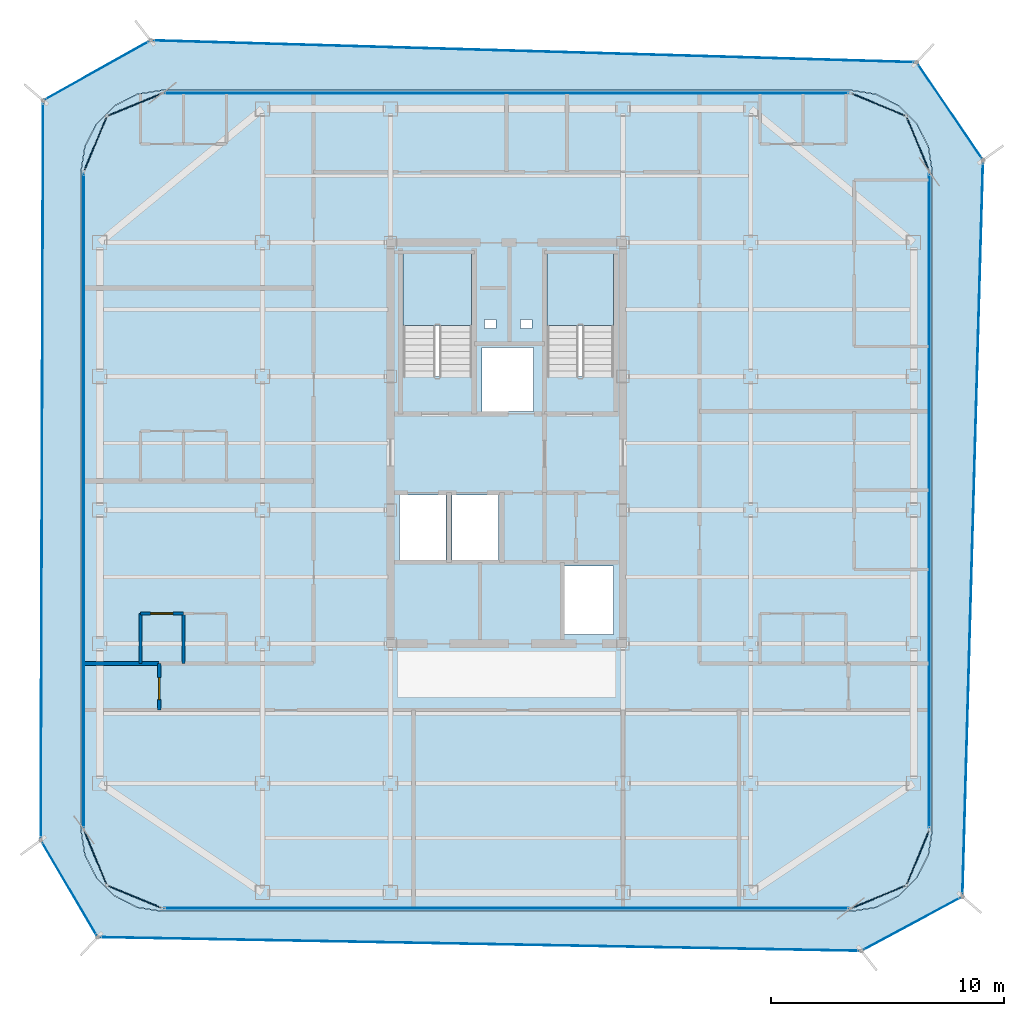
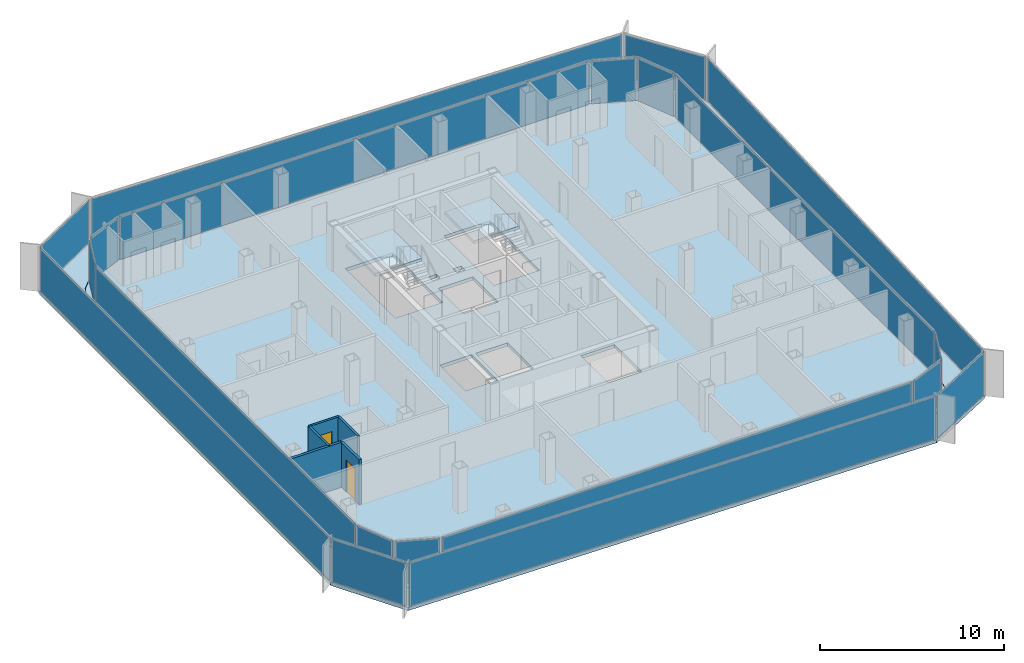
# One storey, part 9 of 14: 20 plates, 5 walls, 4 slabs, 2 doors, 2 openings, 22 elements without a shape of their own.
"""IFC4 building model written with IfcOpenShell, lengths in metres."""

from ifc_helpers import new_model, si_unit, direction, frame, frame_2d, origin, origin_2d, place, context, subcontext, project, spatial, polyline, rectangle, outline, extrude, source, transform, mapped, material, layer, layer_set, type_object, element, fill, aggregate, save


model = new_model("IFC4")

# Units and contexts
model_context = context("Model", 3, precision=1e-05, world=origin(), true_north=direction((0.0, 1.0)))
body_context = subcontext(model_context, "Body", "Model", "MODEL_VIEW")
ifc_project = project(units=[si_unit("LENGTHUNIT", "METRE"), si_unit("AREAUNIT", "SQUARE_METRE"), si_unit("VOLUMEUNIT", "CUBIC_METRE"), si_unit("PLANEANGLEUNIT", "RADIAN"), si_unit("MASSUNIT", "GRAM", prefix="KILO")], contexts=[model_context])

# Site, building, storey
site_placement = place(None, origin())
site = spatial("IfcSite", under=ifc_project, at=site_placement, CompositionType="ELEMENT")
building_placement = place(site_placement, origin())
building = spatial("IfcBuilding", under=site, at=building_placement, Name="Kolveth Station Tower", CompositionType="ELEMENT")
storey_placement = place(building_placement, frame((0.0, 0.0, 226.5)))
storey = spatial("IfcBuildingStorey", under=building, at=storey_placement, Name="L64", CompositionType="ELEMENT", Elevation=226.5)

# Slab
ifc_material_1 = material(Name="Concrete C40/50", Category="concrete")
ifc_layer_1 = layer(ifc_material_1, 0.219970703125)
ifc_layer_set_1 = layer_set([ifc_layer_1], Name="Concrete C40/50")
slab_type_1 = type_object("IfcSlabType", Name="Slab_SF-220", PredefinedType="FLOOR", material=ifc_layer_set_1)
slab_1_placement = place(storey_placement, frame((0.0, 0.0, -0.219970703125)))
element("IfcSlab", 1, at=slab_1_placement, inside=storey, type_object=slab_type_1, Name="L64 Tower Structural Floor Slab", PredefinedType="FLOOR", context=body_context, shape_type="SweptSolid", body=[
    extrude(outline(polyline([(38.300048828125, 0.0), (39.381591796875, 0.17138671875), (40.357177734375, 0.66845703125), (41.131591796875, 1.44287109375), (41.628662109375, 2.41845703125), (41.800048828125, 3.5), (41.800048828125, 31.800048828125), (41.628662109375, 32.881591796875), (41.131591796875, 33.857177734375), (40.357177734375, 34.631591796875), (39.381591796875, 35.128662109375), (38.300048828125, 35.300048828125), (8.699951171875, 35.300048828125), (7.618408203125, 35.128662109375), (6.642822265625, 34.631591796875), (5.868408203125, 33.857177734375), (5.371337890625, 32.881591796875), (5.199951171875, 31.800048828125), (5.199951171875, 3.5), (5.371337890625, 2.41845703125), (5.868408203125, 1.44287109375), (6.642822265625, 0.66845703125), (7.618408203125, 0.17138671875), (8.699951171875, 0.0), (38.300048828125, 0.0)]), holes=[polyline([(19.0400390625, 22.985107421875), (22.0, 22.985107421875), (22.0, 28.39990234375), (19.0400390625, 28.39990234375), (19.0400390625, 22.985107421875)]), polyline([(25.239990234375, 22.985107421875), (28.10009765625, 22.985107421875), (28.10009765625, 28.39990234375), (25.239990234375, 28.39990234375), (25.239990234375, 22.985107421875)]), polyline([(18.89990234375, 15.10009765625), (20.89990234375, 15.10009765625), (20.89990234375, 17.89990234375), (18.89990234375, 17.89990234375), (18.89990234375, 15.10009765625)]), polyline([(21.14990234375, 15.10009765625), (23.14990234375, 15.10009765625), (23.14990234375, 17.89990234375), (21.14990234375, 17.89990234375), (21.14990234375, 15.10009765625)]), polyline([(22.449951171875, 21.5), (24.64990234375, 21.5), (24.64990234375, 24.25), (22.449951171875, 24.25), (22.449951171875, 21.5)]), polyline([(26.0, 11.89990234375), (28.10009765625, 11.89990234375), (28.10009765625, 14.85009765625), (26.0, 14.85009765625), (26.0, 11.89990234375)]), polyline([(22.550048828125, 25.050048828125), (23.050048828125, 25.050048828125), (23.050048828125, 25.449951171875), (22.550048828125, 25.449951171875), (22.550048828125, 25.050048828125)]), polyline([(24.10009765625, 25.050048828125), (24.60009765625, 25.050048828125), (24.60009765625, 25.449951171875), (24.10009765625, 25.449951171875), (24.10009765625, 25.050048828125)])]), origin(), (0.0, 0.0, 1.0), 0.219970703125),
])

# Stair, slab
stair_type_1 = type_object("IfcStairType", Name="Stair_ST2", PredefinedType="HALF_TURN_STAIR", material=ifc_material_1)
stair_1_placement = place(storey_placement, origin())
stair_1 = element("IfcStair", 2, at=stair_1_placement, inside=storey, type_object=stair_type_1, Name="L64 Tower Exit Stair ST2", PredefinedType="HALF_TURN_STAIR")
ifc_layer_2 = layer(ifc_material_1, 0.18994140625)
ifc_layer_set_2 = layer_set([ifc_layer_2], Name="Concrete C40/50")
slab_type_2 = type_object("IfcSlabType", Name="Slab_SL-190", PredefinedType="LANDING", material=ifc_layer_set_2)
slab_2_placement = place(storey_placement, frame((0.0, 0.0, 1.39990234375)))
slab_2 = element("IfcSlab", 3, at=slab_2_placement, type_object=slab_type_2, Name="ST2 landing 1", PredefinedType="LANDING", context=body_context, shape_type="SweptSolid", body=[
    extrude(outline(polyline([(28.10009765625, 25.18994140625), (28.10009765625, 28.39990234375), (25.239990234375, 28.39990234375), (25.239990234375, 25.18994140625), (28.10009765625, 25.18994140625)])), origin(), (0.0, 0.0, 1.0), 0.2001953125),
])
aggregate(stair_1, [slab_2])

stair_type_2 = type_object("IfcStairType", Name="Stair_ST1", PredefinedType="HALF_TURN_STAIR", material=ifc_material_1)
stair_2_placement = place(storey_placement, origin())
stair_2 = element("IfcStair", 4, at=stair_2_placement, inside=storey, type_object=stair_type_2, Name="L64 Tower Exit Stair ST1", PredefinedType="HALF_TURN_STAIR")
ifc_layer_3 = layer(ifc_material_1, 0.205078125)
ifc_layer_set_3 = layer_set([ifc_layer_3], Name="Concrete C40/50")
slab_type_3 = type_object("IfcSlabType", Name="Slab_SL-205", PredefinedType="LANDING", material=ifc_layer_set_3)
slab_3_placement = place(storey_placement, frame((0.0, 0.0, 1.39990234375)))
slab_3 = element("IfcSlab", 5, at=slab_3_placement, type_object=slab_type_3, Name="ST1 landing 1", PredefinedType="LANDING", context=body_context, shape_type="SweptSolid", body=[
    extrude(outline(polyline([(22.0, 25.18994140625), (22.0, 28.39990234375), (19.0400390625, 28.39990234375), (19.0400390625, 25.18994140625), (22.0, 25.18994140625)])), origin(), (0.0, 0.0, 1.0), 0.2001953125),
])
aggregate(stair_2, [slab_3])

# Slab
ifc_layer_4 = layer(ifc_material_1, 0.2099609375)
ifc_layer_set_4 = layer_set([ifc_layer_4], Name="Concrete C40/50")
slab_type_4 = type_object("IfcSlabType", Name="Slab_ST-210", PredefinedType="FLOOR", material=ifc_layer_set_4)
slab_4_placement = place(storey_placement, frame((0.0, 0.0, -0.2099609375)))
element("IfcSlab", 6, at=slab_4_placement, inside=storey, type_object=slab_type_4, Name="L64 Double-Skin Cavity Structural Ledger Ring", PredefinedType="FLOOR", context=body_context, shape_type="SweptSolid", body=[
    extrude(outline(polyline([(5.916015625, -1.117431640625), (3.468505859375, 3.054931640625), (3.568359375, 34.860107421875), (8.188720703125, 37.4482421875), (41.135009765625, 36.5068359375), (43.989990234375, 32.3017578125), (43.103271484375, 0.628173828125), (38.7568359375, -1.707763671875), (5.916015625, -1.117431640625)]), holes=[polyline([(38.30224609375, -0.014892578125), (39.3837890625, 0.156494140625), (39.388427734375, 0.157958984375), (40.364013671875, 0.655029296875), (40.367919921875, 0.65771484375), (41.14208984375, 1.43212890625), (41.14501953125, 1.43603515625), (41.64208984375, 2.41162109375), (41.6435546875, 2.416015625), (41.814697265625, 3.497802734375), (41.81494140625, 3.5), (41.81494140625, 31.800048828125), (41.814697265625, 31.80224609375), (41.6435546875, 32.8837890625), (41.64208984375, 32.888427734375), (41.14501953125, 33.864013671875), (41.14208984375, 33.867919921875), (40.367919921875, 34.64208984375), (40.364013671875, 34.64501953125), (39.388427734375, 35.14208984375), (39.3837890625, 35.1435546875), (38.30224609375, 35.314697265625), (38.300048828125, 35.31494140625), (8.699951171875, 35.31494140625), (8.69775390625, 35.314697265625), (7.6162109375, 35.1435546875), (7.611572265625, 35.14208984375), (6.635986328125, 34.64501953125), (6.632080078125, 34.64208984375), (5.85791015625, 33.867919921875), (5.85498046875, 33.864013671875), (5.35791015625, 32.888427734375), (5.3564453125, 32.8837890625), (5.185302734375, 31.80224609375), (5.18505859375, 31.800048828125), (5.18505859375, 3.5), (5.185302734375, 3.497802734375), (5.3564453125, 2.416015625), (5.35791015625, 2.41162109375), (5.85498046875, 1.43603515625), (5.85791015625, 1.43212890625), (6.632080078125, 0.65771484375), (6.635986328125, 0.655029296875), (7.611572265625, 0.157958984375), (7.6162109375, 0.156494140625), (8.69775390625, -0.014892578125), (8.699951171875, -0.014892578125), (38.300048828125, -0.014892578125), (38.30224609375, -0.014892578125)])]), origin(), (0.0, 0.0, 1.0), 0.2099609375),
])

# Curtain wall, plate
ifc_material_2 = material(Name="Aluminium 6063-T6 and triple low-E dark glass", Category="aluminium")
ifc_layer_5 = layer(ifc_material_2, 0.199951171875)
ifc_layer_set_5 = layer_set([ifc_layer_5], Name="Aluminium 6063-T6 and triple low-E dark glass")
curtain_wall_type_1 = type_object("IfcCurtainWallType", Name="CurtainWall_CW-Z3", PredefinedType="NOTDEFINED", material=ifc_layer_set_5)
curtain_wall_1_placement = place(storey_placement, origin())
curtain_wall_1 = element("IfcCurtainWall", 7, at=curtain_wall_1_placement, inside=storey, type_object=curtain_wall_type_1, Name="L64 Inner Thermal Curtain Wall 1", PredefinedType="NOTDEFINED")
ifc_material_3 = material(Name="Architectural low-E dark glass", Category="glass")
ifc_layer_6 = layer(ifc_material_3, 0.0419921875)
ifc_layer_set_6 = layer_set([ifc_layer_6], Name="Architectural low-E dark glass")
plate_type_1 = type_object("IfcPlateType", Name="Panel_GL3", PredefinedType="CURTAIN_PANEL", material=ifc_layer_set_6)
shared_shape_1 = source(origin(), body_context, "Body", "SweptSolid", [
    extrude(rectangle(XDim=2.430908203125, YDim=0.0419921875, at=origin_2d()), origin(), (0.0, 0.0, 1.0), 2.823974609375),
])
plate_1_placement = place(storey_placement, frame((39.4951171875, 0.614990234375, 0.078125), z_axis=(0.0, 0.0, 1.0), x_axis=(0.923875488975, 0.382693194181, 0.0)))
plate_1 = element("IfcPlate", 8, at=plate_1_placement, type_object=plate_type_1, Name="CW-Z3 panel 1.1", PredefinedType="CURTAIN_PANEL", context=body_context, shape_type="MappedRepresentation", body=[
    mapped(shared_shape_1, transform((0.0, 0.0, 0.0), x_axis=(1.0, 0.0, 0.0), y_axis=(0.0, 1.0, 0.0), z_axis=(0.0, 0.0, 1.0), scale=1.0)),
])
aggregate(curtain_wall_1, [plate_1])

curtain_wall_2_placement = place(storey_placement, origin())
curtain_wall_2 = element("IfcCurtainWall", 9, at=curtain_wall_2_placement, inside=storey, type_object=curtain_wall_type_1, Name="L64 Inner Thermal Curtain Wall 2", PredefinedType="NOTDEFINED")
plate_2_placement = place(storey_placement, frame((41.18505859375, 2.304931640625, 0.078125), z_axis=(0.0, 0.0, 1.0), x_axis=(0.382693194181, 0.923875488975, 0.0)))
plate_2 = element("IfcPlate", 10, at=plate_2_placement, type_object=plate_type_1, Name="CW-Z3 panel 1.1", PredefinedType="CURTAIN_PANEL", context=body_context, shape_type="MappedRepresentation", body=[
    mapped(shared_shape_1, transform((0.0, 0.0, 0.0), x_axis=(1.0, 0.0, 0.0), y_axis=(0.0, 1.0, 0.0), z_axis=(0.0, 0.0, 1.0), scale=1.0)),
])
aggregate(curtain_wall_2, [plate_2])

curtain_wall_3_placement = place(storey_placement, origin())
curtain_wall_3 = element("IfcCurtainWall", 11, at=curtain_wall_3_placement, inside=storey, type_object=curtain_wall_type_1, Name="L64 Inner Thermal Curtain Wall 4", PredefinedType="NOTDEFINED")
plate_3_placement = place(storey_placement, frame((41.18505859375, 32.9951171875, 0.078125), z_axis=(0.0, 0.0, 1.0), x_axis=(-0.382693194181, 0.923875488975, 0.0)))
plate_3 = element("IfcPlate", 12, at=plate_3_placement, type_object=plate_type_1, Name="CW-Z3 panel 1.1", PredefinedType="CURTAIN_PANEL", context=body_context, shape_type="MappedRepresentation", body=[
    mapped(shared_shape_1, transform((0.0, 0.0, 0.0), x_axis=(1.0, 0.0, 0.0), y_axis=(0.0, 1.0, 0.0), z_axis=(0.0, 0.0, 1.0), scale=1.0)),
])
aggregate(curtain_wall_3, [plate_3])

curtain_wall_4_placement = place(storey_placement, origin())
curtain_wall_4 = element("IfcCurtainWall", 13, at=curtain_wall_4_placement, inside=storey, type_object=curtain_wall_type_1, Name="L64 Inner Thermal Curtain Wall 5", PredefinedType="NOTDEFINED")
plate_4_placement = place(storey_placement, frame((39.4951171875, 34.68505859375, 0.078125), z_axis=(0.0, 0.0, 1.0), x_axis=(-0.923875488975, 0.382693194181, 0.0)))
plate_4 = element("IfcPlate", 14, at=plate_4_placement, type_object=plate_type_1, Name="CW-Z3 panel 1.1", PredefinedType="CURTAIN_PANEL", context=body_context, shape_type="MappedRepresentation", body=[
    mapped(shared_shape_1, transform((0.0, 0.0, 0.0), x_axis=(1.0, 0.0, 0.0), y_axis=(0.0, 1.0, 0.0), z_axis=(0.0, 0.0, 1.0), scale=1.0)),
])
aggregate(curtain_wall_4, [plate_4])

curtain_wall_5_placement = place(storey_placement, origin())
curtain_wall_5 = element("IfcCurtainWall", 15, at=curtain_wall_5_placement, inside=storey, type_object=curtain_wall_type_1, Name="L64 Inner Thermal Curtain Wall 7", PredefinedType="NOTDEFINED")
plate_5_placement = place(storey_placement, frame((7.5048828125, 34.68505859375, 0.078125), z_axis=(0.0, 0.0, 1.0), x_axis=(-0.923875488975, -0.382693194181, 0.0)))
plate_5 = element("IfcPlate", 16, at=plate_5_placement, type_object=plate_type_1, Name="CW-Z3 panel 1.1", PredefinedType="CURTAIN_PANEL", context=body_context, shape_type="MappedRepresentation", body=[
    mapped(shared_shape_1, transform((0.0, 0.0, 0.0), x_axis=(1.0, 0.0, 0.0), y_axis=(0.0, 1.0, 0.0), z_axis=(0.0, 0.0, 1.0), scale=1.0)),
])
aggregate(curtain_wall_5, [plate_5])

curtain_wall_6_placement = place(storey_placement, origin())
curtain_wall_6 = element("IfcCurtainWall", 17, at=curtain_wall_6_placement, inside=storey, type_object=curtain_wall_type_1, Name="L64 Inner Thermal Curtain Wall 8", PredefinedType="NOTDEFINED")
plate_6_placement = place(storey_placement, frame((5.81494140625, 32.9951171875, 0.078125), z_axis=(0.0, 0.0, 1.0), x_axis=(-0.382693194181, -0.923875488975, 0.0)))
plate_6 = element("IfcPlate", 18, at=plate_6_placement, type_object=plate_type_1, Name="CW-Z3 panel 1.1", PredefinedType="CURTAIN_PANEL", context=body_context, shape_type="MappedRepresentation", body=[
    mapped(shared_shape_1, transform((0.0, 0.0, 0.0), x_axis=(1.0, 0.0, 0.0), y_axis=(0.0, 1.0, 0.0), z_axis=(0.0, 0.0, 1.0), scale=1.0)),
])
aggregate(curtain_wall_6, [plate_6])

curtain_wall_7_placement = place(storey_placement, origin())
curtain_wall_7 = element("IfcCurtainWall", 19, at=curtain_wall_7_placement, inside=storey, type_object=curtain_wall_type_1, Name="L64 Inner Thermal Curtain Wall 10", PredefinedType="NOTDEFINED")
plate_7_placement = place(storey_placement, frame((5.81494140625, 2.304931640625, 0.078125), z_axis=(0.0, 0.0, 1.0), x_axis=(0.382693194181, -0.923875488975, 0.0)))
plate_7 = element("IfcPlate", 20, at=plate_7_placement, type_object=plate_type_1, Name="CW-Z3 panel 1.1", PredefinedType="CURTAIN_PANEL", context=body_context, shape_type="MappedRepresentation", body=[
    mapped(shared_shape_1, transform((0.0, 0.0, 0.0), x_axis=(1.0, 0.0, 0.0), y_axis=(0.0, 1.0, 0.0), z_axis=(0.0, 0.0, 1.0), scale=1.0)),
])
aggregate(curtain_wall_7, [plate_7])

curtain_wall_8_placement = place(storey_placement, origin())
curtain_wall_8 = element("IfcCurtainWall", 21, at=curtain_wall_8_placement, inside=storey, type_object=curtain_wall_type_1, Name="L64 Inner Thermal Curtain Wall 11", PredefinedType="NOTDEFINED")
plate_8_placement = place(storey_placement, frame((7.5048828125, 0.614990234375, 0.078125), z_axis=(0.0, 0.0, 1.0), x_axis=(0.923875488975, -0.382693194181, 0.0)))
plate_8 = element("IfcPlate", 22, at=plate_8_placement, type_object=plate_type_1, Name="CW-Z3 panel 1.1", PredefinedType="CURTAIN_PANEL", context=body_context, shape_type="MappedRepresentation", body=[
    mapped(shared_shape_1, transform((0.0, 0.0, 0.0), x_axis=(1.0, 0.0, 0.0), y_axis=(0.0, 1.0, 0.0), z_axis=(0.0, 0.0, 1.0), scale=1.0)),
])
aggregate(curtain_wall_8, [plate_8])

curtain_wall_9_placement = place(storey_placement, origin())
curtain_wall_9 = element("IfcCurtainWall", 23, at=curtain_wall_9_placement, inside=storey, type_object=curtain_wall_type_1, Name="L64 Inner Thermal Curtain Wall 3", PredefinedType="NOTDEFINED")
shared_shape_2 = source(origin(), body_context, "Body", "SweptSolid", [
    extrude(rectangle(XDim=28.14404296875, YDim=0.0419921875, at=origin_2d()), origin(), (0.0, 0.0, 1.0), 2.823974609375),
])
plate_9_placement = place(storey_placement, frame((41.679931640625, 17.64990234375, 0.078125), z_axis=(0.0, 0.0, 1.0), x_axis=(0.0, 1.0, 0.0)))
plate_9 = element("IfcPlate", 24, at=plate_9_placement, type_object=plate_type_1, Name="CW-Z3 panel 1.1", PredefinedType="CURTAIN_PANEL", context=body_context, shape_type="MappedRepresentation", body=[
    mapped(shared_shape_2, transform((0.0, 0.0, 0.0), x_axis=(1.0, 0.0, 0.0), y_axis=(0.0, 1.0, 0.0), z_axis=(0.0, 0.0, 1.0), scale=1.0)),
])
aggregate(curtain_wall_9, [plate_9])

curtain_wall_10_placement = place(storey_placement, origin())
curtain_wall_10 = element("IfcCurtainWall", 25, at=curtain_wall_10_placement, inside=storey, type_object=curtain_wall_type_1, Name="L64 Inner Thermal Curtain Wall 9", PredefinedType="NOTDEFINED")
plate_10_placement = place(storey_placement, frame((5.320068359375, 17.64990234375, 0.078125), z_axis=(0.0, 0.0, 1.0), x_axis=(0.0, -1.0, 0.0)))
plate_10 = element("IfcPlate", 26, at=plate_10_placement, type_object=plate_type_1, Name="CW-Z3 panel 1.1", PredefinedType="CURTAIN_PANEL", context=body_context, shape_type="MappedRepresentation", body=[
    mapped(shared_shape_2, transform((0.0, 0.0, 0.0), x_axis=(1.0, 0.0, 0.0), y_axis=(0.0, 1.0, 0.0), z_axis=(0.0, 0.0, 1.0), scale=1.0)),
])
aggregate(curtain_wall_10, [plate_10])

curtain_wall_11_placement = place(storey_placement, origin())
curtain_wall_11 = element("IfcCurtainWall", 27, at=curtain_wall_11_placement, inside=storey, type_object=curtain_wall_type_1, Name="L64 Inner Thermal Curtain Wall 6", PredefinedType="NOTDEFINED")
shared_shape_3 = source(origin(), body_context, "Body", "SweptSolid", [
    extrude(rectangle(XDim=29.444091796875, YDim=0.0419921875, at=origin_2d()), origin(), (0.0, 0.0, 1.0), 2.823974609375),
])
plate_11_placement = place(storey_placement, frame((23.5, 35.179931640625, 0.078125), z_axis=(0.0, 0.0, 1.0), x_axis=(-1.0, 0.0, 0.0)))
plate_11 = element("IfcPlate", 28, at=plate_11_placement, type_object=plate_type_1, Name="CW-Z3 panel 1.1", PredefinedType="CURTAIN_PANEL", context=body_context, shape_type="MappedRepresentation", body=[
    mapped(shared_shape_3, transform((0.0, 0.0, 0.0), x_axis=(1.0, 0.0, 0.0), y_axis=(0.0, 1.0, 0.0), z_axis=(0.0, 0.0, 1.0), scale=1.0)),
])
aggregate(curtain_wall_11, [plate_11])

curtain_wall_12_placement = place(storey_placement, origin())
curtain_wall_12 = element("IfcCurtainWall", 29, at=curtain_wall_12_placement, inside=storey, type_object=curtain_wall_type_1, Name="L64 Inner Thermal Curtain Wall 12", PredefinedType="NOTDEFINED")
plate_12_placement = place(storey_placement, frame((23.5, 0.1201171875, 0.078125), z_axis=(0.0, 0.0, 1.0), x_axis=(1.0, 0.0, 0.0)))
plate_12 = element("IfcPlate", 30, at=plate_12_placement, type_object=plate_type_1, Name="CW-Z3 panel 1.1", PredefinedType="CURTAIN_PANEL", context=body_context, shape_type="MappedRepresentation", body=[
    mapped(shared_shape_3, transform((0.0, 0.0, 0.0), x_axis=(1.0, 0.0, 0.0), y_axis=(0.0, 1.0, 0.0), z_axis=(0.0, 0.0, 1.0), scale=1.0)),
])
aggregate(curtain_wall_12, [plate_12])

ifc_material_4 = material(Name="Black anodized aluminium 6063-T6 and dark solar glass", Category="aluminium")
ifc_layer_7 = layer(ifc_material_4, 0.159912109375)
ifc_layer_set_7 = layer_set([ifc_layer_7], Name="Black anodized aluminium 6063-T6 and dark solar glass")
curtain_wall_type_2 = type_object("IfcCurtainWallType", Name="OUTER SKIN CW-OS", PredefinedType="NOTDEFINED", material=ifc_layer_set_7)
curtain_wall_13_placement = place(storey_placement, origin())
curtain_wall_13 = element("IfcCurtainWall", 31, at=curtain_wall_13_placement, inside=storey, type_object=curtain_wall_type_2, Name="L64 Outer Ventilated Skin Curtain Wall 1", PredefinedType="NOTDEFINED")
ifc_layer_8 = layer(ifc_material_3, 0.028076171875)
ifc_layer_set_8 = layer_set([ifc_layer_8], Name="Architectural low-E dark glass")
plate_type_2 = type_object("IfcPlateType", Name="Panel_GL-OS", PredefinedType="CURTAIN_PANEL", material=ifc_layer_set_8)
shared_shape_4 = source(origin(), body_context, "Body", "SweptSolid", [
    extrude(rectangle(XDim=4.768310546875, YDim=0.028076171875, at=origin_2d()), origin(), (0.0, 0.0, 1.0), 2.843994140625),
])
plate_13_placement = place(storey_placement, frame((40.929931640625, -0.539794921875, 0.0732421875), z_axis=(0.0, 0.0, 1.0), x_axis=(0.880852814054, 0.473390240681, 0.0)))
plate_13 = element("IfcPlate", 32, at=plate_13_placement, type_object=plate_type_2, Name="CW-OS panel 1.1", PredefinedType="CURTAIN_PANEL", context=body_context, shape_type="MappedRepresentation", body=[
    mapped(shared_shape_4, transform((0.0, 0.0, 0.0), x_axis=(1.0, 0.0, 0.0), y_axis=(0.0, 1.0, 0.0), z_axis=(0.0, 0.0, 1.0), scale=1.0)),
])
aggregate(curtain_wall_13, [plate_13])

curtain_wall_14_placement = place(storey_placement, origin())
curtain_wall_14 = element("IfcCurtainWall", 33, at=curtain_wall_14_placement, inside=storey, type_object=curtain_wall_type_2, Name="L64 Outer Ventilated Skin Curtain Wall 2", PredefinedType="NOTDEFINED")
shared_shape_5 = source(origin(), body_context, "Body", "SweptSolid", [
    extrude(rectangle(XDim=31.52001953125, YDim=0.028076171875, at=origin_2d()), origin(), (0.0, 0.0, 1.0), 2.843994140625),
])
plate_14_placement = place(storey_placement, frame((43.546630859375, 16.46484375, 0.0732421875), z_axis=(0.0, 0.0, 1.0), x_axis=(0.027990178319, 0.999608198205, 0.0)))
plate_14 = element("IfcPlate", 34, at=plate_14_placement, type_object=plate_type_2, Name="CW-OS panel 1.1", PredefinedType="CURTAIN_PANEL", context=body_context, shape_type="MappedRepresentation", body=[
    mapped(shared_shape_5, transform((0.0, 0.0, 0.0), x_axis=(1.0, 0.0, 0.0), y_axis=(0.0, 1.0, 0.0), z_axis=(0.0, 0.0, 1.0), scale=1.0)),
])
aggregate(curtain_wall_14, [plate_14])

curtain_wall_15_placement = place(storey_placement, origin())
curtain_wall_15 = element("IfcCurtainWall", 35, at=curtain_wall_15_placement, inside=storey, type_object=curtain_wall_type_2, Name="L64 Outer Ventilated Skin Curtain Wall 3", PredefinedType="NOTDEFINED")
shared_shape_6 = source(origin(), body_context, "Body", "SweptSolid", [
    extrude(rectangle(XDim=4.916748046875, YDim=0.028076171875, at=origin_2d()), origin(), (0.0, 0.0, 1.0), 2.843994140625),
])
plate_15_placement = place(storey_placement, frame((42.5625, 34.404296875, 0.0732421875), z_axis=(0.0, 0.0, 1.0), x_axis=(-0.56170876544, 0.827335036626, 0.0)))
plate_15 = element("IfcPlate", 36, at=plate_15_placement, type_object=plate_type_2, Name="CW-OS panel 1.1", PredefinedType="CURTAIN_PANEL", context=body_context, shape_type="MappedRepresentation", body=[
    mapped(shared_shape_6, transform((0.0, 0.0, 0.0), x_axis=(1.0, 0.0, 0.0), y_axis=(0.0, 1.0, 0.0), z_axis=(0.0, 0.0, 1.0), scale=1.0)),
])
aggregate(curtain_wall_15, [plate_15])

curtain_wall_16_placement = place(storey_placement, origin())
curtain_wall_16 = element("IfcCurtainWall", 37, at=curtain_wall_16_placement, inside=storey, type_object=curtain_wall_type_2, Name="L64 Outer Ventilated Skin Curtain Wall 4", PredefinedType="NOTDEFINED")
shared_shape_7 = source(origin(), body_context, "Body", "SweptSolid", [
    extrude(rectangle(XDim=32.793701171875, YDim=0.028076171875, at=origin_2d()), origin(), (0.0, 0.0, 1.0), 2.843994140625),
])
plate_16_placement = place(storey_placement, frame((24.661865234375, 36.9775390625, 0.0732421875), z_axis=(0.0, 0.0, 1.0), x_axis=(-0.999592022115, 0.028562025892, 0.0)))
plate_16 = element("IfcPlate", 38, at=plate_16_placement, type_object=plate_type_2, Name="CW-OS panel 1.1", PredefinedType="CURTAIN_PANEL", context=body_context, shape_type="MappedRepresentation", body=[
    mapped(shared_shape_7, transform((0.0, 0.0, 0.0), x_axis=(1.0, 0.0, 0.0), y_axis=(0.0, 1.0, 0.0), z_axis=(0.0, 0.0, 1.0), scale=1.0)),
])
aggregate(curtain_wall_16, [plate_16])

curtain_wall_17_placement = place(storey_placement, origin())
curtain_wall_17 = element("IfcCurtainWall", 39, at=curtain_wall_17_placement, inside=storey, type_object=curtain_wall_type_2, Name="L64 Outer Ventilated Skin Curtain Wall 5", PredefinedType="NOTDEFINED")
shared_shape_8 = source(origin(), body_context, "Body", "SweptSolid", [
    extrude(rectangle(XDim=5.1298828125, YDim=0.028076171875, at=origin_2d()), origin(), (0.0, 0.0, 1.0), 2.843994140625),
])
plate_17_placement = place(storey_placement, frame((5.87841796875, 36.154296875, 0.0732421875), z_axis=(0.0, 0.0, 1.0), x_axis=(-0.872451593694, -0.488700538838, 0.0)))
plate_17 = element("IfcPlate", 40, at=plate_17_placement, type_object=plate_type_2, Name="CW-OS panel 1.1", PredefinedType="CURTAIN_PANEL", context=body_context, shape_type="MappedRepresentation", body=[
    mapped(shared_shape_8, transform((0.0, 0.0, 0.0), x_axis=(1.0, 0.0, 0.0), y_axis=(0.0, 1.0, 0.0), z_axis=(0.0, 0.0, 1.0), scale=1.0)),
])
aggregate(curtain_wall_17, [plate_17])

curtain_wall_18_placement = place(storey_placement, origin())
curtain_wall_18 = element("IfcCurtainWall", 41, at=curtain_wall_18_placement, inside=storey, type_object=curtain_wall_type_2, Name="L64 Outer Ventilated Skin Curtain Wall 6", PredefinedType="NOTDEFINED")
shared_shape_9 = source(origin(), body_context, "Body", "SweptSolid", [
    extrude(rectangle(XDim=31.639404296875, YDim=0.028076171875, at=origin_2d()), origin(), (0.0, 0.0, 1.0), 2.843994140625),
])
plate_18_placement = place(storey_placement, frame((3.5185546875, 18.95751953125, 0.0732421875), z_axis=(0.0, 0.0, 1.0), x_axis=(-0.003134682282, -0.999995086871, 0.0)))
plate_18 = element("IfcPlate", 42, at=plate_18_placement, type_object=plate_type_2, Name="CW-OS panel 1.1", PredefinedType="CURTAIN_PANEL", context=body_context, shape_type="MappedRepresentation", body=[
    mapped(shared_shape_9, transform((0.0, 0.0, 0.0), x_axis=(1.0, 0.0, 0.0), y_axis=(0.0, 1.0, 0.0), z_axis=(0.0, 0.0, 1.0), scale=1.0)),
])
aggregate(curtain_wall_18, [plate_18])

curtain_wall_19_placement = place(storey_placement, origin())
curtain_wall_19 = element("IfcCurtainWall", 43, at=curtain_wall_19_placement, inside=storey, type_object=curtain_wall_type_2, Name="L64 Outer Ventilated Skin Curtain Wall 7", PredefinedType="NOTDEFINED")
shared_shape_10 = source(origin(), body_context, "Body", "SweptSolid", [
    extrude(rectangle(XDim=4.671142578125, YDim=0.028076171875, at=origin_2d()), origin(), (0.0, 0.0, 1.0), 2.843994140625),
])
plate_19_placement = place(storey_placement, frame((4.6923828125, 0.96875, 0.0732421875), z_axis=(0.0, 0.0, 1.0), x_axis=(0.505951860917, -0.862561716305, 0.0)))
plate_19 = element("IfcPlate", 44, at=plate_19_placement, type_object=plate_type_2, Name="CW-OS panel 1.1", PredefinedType="CURTAIN_PANEL", context=body_context, shape_type="MappedRepresentation", body=[
    mapped(shared_shape_10, transform((0.0, 0.0, 0.0), x_axis=(1.0, 0.0, 0.0), y_axis=(0.0, 1.0, 0.0), z_axis=(0.0, 0.0, 1.0), scale=1.0)),
])
aggregate(curtain_wall_19, [plate_19])

curtain_wall_20_placement = place(storey_placement, origin())
curtain_wall_20 = element("IfcCurtainWall", 45, at=curtain_wall_20_placement, inside=storey, type_object=curtain_wall_type_2, Name="L64 Outer Ventilated Skin Curtain Wall 8", PredefinedType="NOTDEFINED")
shared_shape_11 = source(origin(), body_context, "Body", "SweptSolid", [
    extrude(rectangle(XDim=32.68017578125, YDim=0.028076171875, at=origin_2d()), origin(), (0.0, 0.0, 1.0), 2.843994140625),
])
plate_20_placement = place(storey_placement, frame((22.33642578125, -1.41259765625, 0.0732421875), z_axis=(0.0, 0.0, 1.0), x_axis=(0.999838551829, -0.017968591408, 0.0)))
plate_20 = element("IfcPlate", 46, at=plate_20_placement, type_object=plate_type_2, Name="CW-OS panel 1.1", PredefinedType="CURTAIN_PANEL", context=body_context, shape_type="MappedRepresentation", body=[
    mapped(shared_shape_11, transform((0.0, 0.0, 0.0), x_axis=(1.0, 0.0, 0.0), y_axis=(0.0, 1.0, 0.0), z_axis=(0.0, 0.0, 1.0), scale=1.0)),
])
aggregate(curtain_wall_20, [plate_20])

# Wall, opening, door
ifc_material_5 = material(Name="Moisture-resistant gypsum partition")
ifc_layer_9 = layer(ifc_material_5, 0.135009765625)
ifc_layer_set_9 = layer_set([ifc_layer_9], Name="Moisture-resistant gypsum partition")
wall_type_1 = type_object("IfcWallType", Name="Wall_IW-135", PredefinedType="PARTITIONING", material=ifc_layer_set_9)
wall_1_placement = place(storey_placement, frame((7.75, 12.800048828125, 0.0), z_axis=(0.0, 0.0, 1.0), x_axis=(1.0, 0.0, 0.0)))
wall_1 = element("IfcWall", 47, at=wall_1_placement, inside=storey, type_object=wall_type_1, Name="L64 Partition Wall WL-L64-W1-IBHK", PredefinedType="PARTITIONING", context=body_context, shape_type="SweptSolid", body=[
    extrude(rectangle(XDim=1.85009765625, YDim=0.135009765625, at=frame_2d((0.925048828125, 0.0))), origin(), (0.0, 0.0, 1.0), 2.97998046875),
])
opening_1_placement = place(wall_1_placement, frame((0.445068359375, 0.0, 0.0)))
opening_1 = element("IfcOpeningElement", 48, at=opening_1_placement, cuts=wall_1, Name="Opening ID1", PredefinedType="OPENING", context=body_context, shape_type="SweptSolid", body=[
    extrude(rectangle(XDim=0.949951171875, YDim=2.14990234375, at=frame_2d((0.47509765625, 1.074951171875))), frame((0.0, 0.077392578125, 0.0), z_axis=(0.0, -1.0, 0.0), x_axis=(1.0, 0.0, 0.0)), (0.0, 0.0, 1.0), 0.155029296875),
])
ifc_material_6 = material(Name="Acoustic hardwood leaf and aluminium frame", Category="wood")
door_type = type_object("IfcDoorType", Name="Door_ID1", OperationType="NOTDEFINED", PredefinedType="DOOR", material=ifc_material_6)
door_1_placement = place(opening_1_placement, origin())
door_1 = element("IfcDoor", 49, at=door_1_placement, inside=storey, type_object=door_type, Name="Flat L64-W1 Kitchen Door", OperationType="SINGLE_SWING_RIGHT", OverallHeight=2.14990234375, OverallWidth=0.949951171875, PredefinedType="DOOR", context=body_context, shape_type="SweptSolid", body=[
    extrude(rectangle(XDim=0.949951171875, YDim=2.14990234375, at=frame_2d((0.47509765625, 1.074951171875))), frame((0.0, 0.02490234375, 0.0), z_axis=(0.0, -1.0, 0.0), x_axis=(1.0, 0.0, 0.0)), (0.0, 0.0, 1.0), 0.050048828125),
])
fill(opening_1, door_1)

# Walls
for number, where, z_axis, x_axis, name in (
    (50, (7.75, 10.64990234375, 0.0), (0.0, 0.0, 1.0), (0.0, 1.0, 0.0), "L64 Partition Wall WL-L64-W1-IBV0"),
    (51, (9.60009765625, 10.64990234375, 0.0), (0.0, 0.0, 1.0), (0.0, 1.0, 0.0), "L64 Partition Wall WL-L64-W1-IBV1"),
):
    element("IfcWall", number, at=place(storey_placement, frame(where, z_axis=z_axis, x_axis=x_axis)), inside=storey, type_object=wall_type_1, Name=name, PredefinedType="PARTITIONING", context=body_context, shape_type="SweptSolid", body=[
        extrude(rectangle(XDim=2.150146484375, YDim=0.135009765625, at=frame_2d((1.0751953125, 0.0))), origin(), (0.0, 0.0, 1.0), 2.97998046875),
    ])

# Wall, opening, door
ifc_material_7 = material(Name="Acoustic double-stud gypsum partition")
ifc_layer_10 = layer(ifc_material_7, 0.1650390625)
ifc_layer_set_10 = layer_set([ifc_layer_10], Name="Acoustic double-stud gypsum partition")
wall_type_2 = type_object("IfcWallType", Name="Wall_IW-165", PredefinedType="PARTITIONING", material=ifc_layer_set_10)
wall_2_placement = place(storey_placement, frame((8.56005859375, 8.64990234375, 0.0), z_axis=(0.0, 0.0, 1.0), x_axis=(0.0, 1.0, 0.0)))
wall_2 = element("IfcWall", 52, at=wall_2_placement, inside=storey, type_object=wall_type_2, Name="L64 Partition Wall WL-L64-RSWE", PredefinedType="PARTITIONING", context=body_context, shape_type="SweptSolid", body=[
    extrude(rectangle(XDim=2.0, YDim=0.1650390625, at=frame_2d((1.0, 0.0))), origin(), (0.0, 0.0, 1.0), 2.97998046875),
])
opening_2_placement = place(wall_2_placement, frame((0.449951171875, 0.0, 0.0)))
opening_2 = element("IfcOpeningElement", 53, at=opening_2_placement, cuts=wall_2, Name="Opening ID1", PredefinedType="OPENING", context=body_context, shape_type="SweptSolid", body=[
    extrude(rectangle(XDim=0.949951171875, YDim=2.14990234375, at=frame_2d((0.47509765625, 1.074951171875))), frame((0.0, 0.092529296875, 0.0), z_axis=(0.0, -1.0, 0.0), x_axis=(1.0, 0.0, 0.0)), (0.0, 0.0, 1.0), 0.18505859375),
])
door_2_placement = place(opening_2_placement, frame((0.949951171875, 0.0, 0.0), z_axis=(0.0, 0.0, 1.0), x_axis=(-1.0, 0.0, 0.0)))
door_2 = element("IfcDoor", 54, at=door_2_placement, inside=storey, type_object=door_type, Name="L64 West Store Door", OperationType="SINGLE_SWING_RIGHT", OverallHeight=2.14990234375, OverallWidth=0.949951171875, PredefinedType="DOOR", context=body_context, shape_type="SweptSolid", body=[
    extrude(rectangle(XDim=0.949951171875, YDim=2.14990234375, at=frame_2d((0.47509765625, 1.074951171875))), frame((0.0, 0.02490234375, 0.0), z_axis=(0.0, -1.0, 0.0), x_axis=(1.0, 0.0, 0.0)), (0.0, 0.0, 1.0), 0.050048828125),
])
fill(opening_2, door_2)

# Wall
wall_3_placement = place(storey_placement, frame((5.360107421875, 10.64990234375, 0.0), z_axis=(0.0, 0.0, 1.0), x_axis=(1.0, 0.0, 0.0)))
element("IfcWall", 55, at=wall_3_placement, inside=storey, type_object=wall_type_2, Name="L64 Partition Wall WL-L64-WSTN", PredefinedType="PARTITIONING", context=body_context, shape_type="SweptSolid", body=[
    extrude(rectangle(XDim=3.199951171875, YDim=0.1650390625, at=frame_2d((1.60009765625, 0.0))), origin(), (0.0, 0.0, 1.0), 2.97998046875),
])

save(model, "model.ifc")
